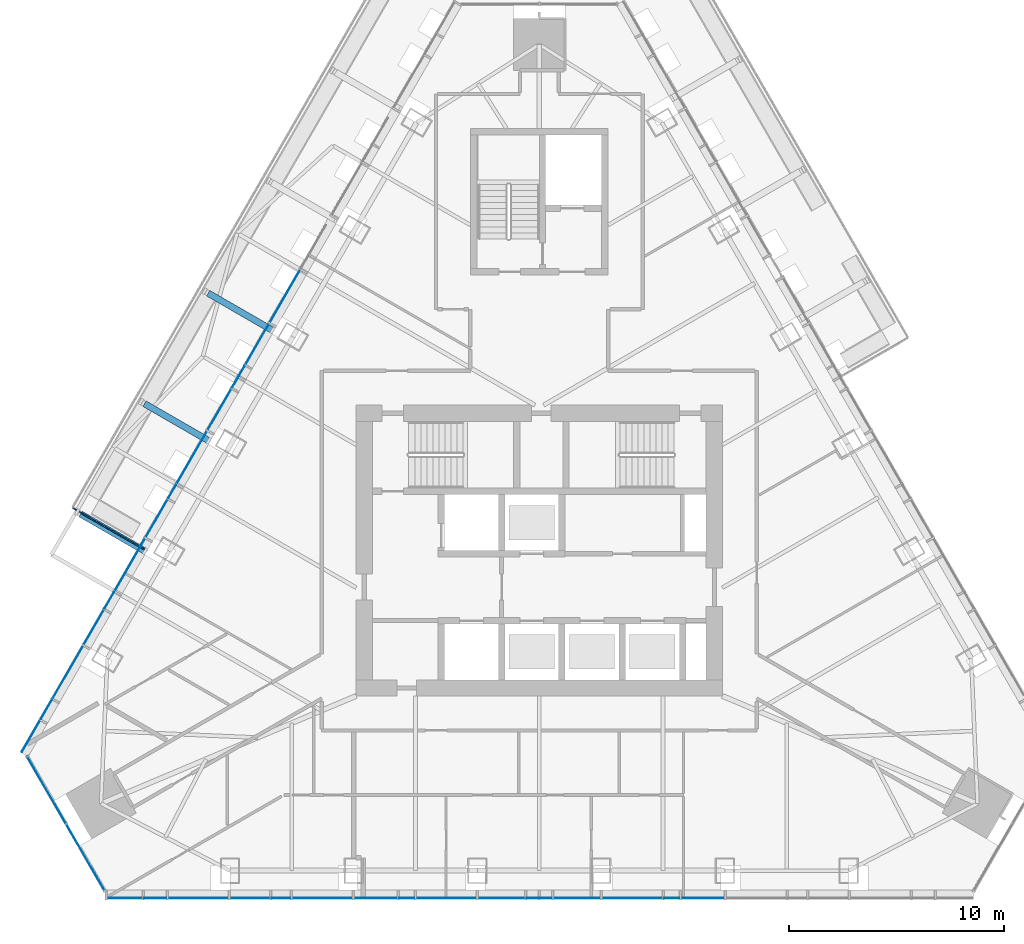
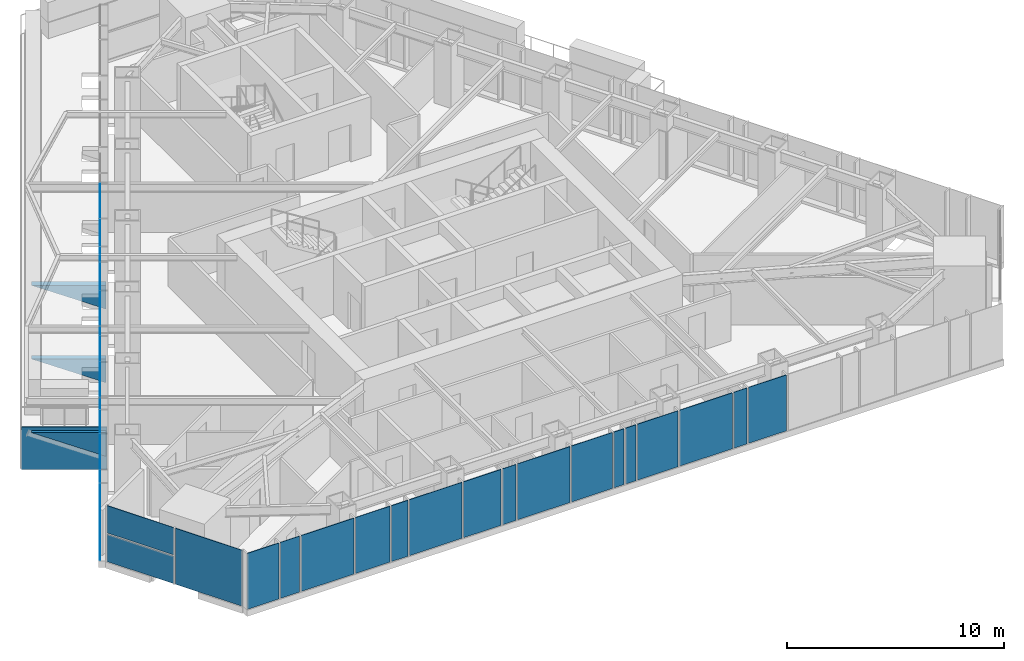
# One storey, part 6 of 16: 37 plates, 3 elements without a shape of their own.
"""IFC4 building model written with IfcOpenShell, lengths in metres."""

from ifc_helpers import new_model, si_unit, direction, frame, origin, place, context, subcontext, project, spatial, polyline, outline, extrude, material, layer, layer_set, type_object, element, aggregate, save


model = new_model("IFC4")

# Units and contexts
model_context = context("Model", 3, precision=1e-05, world=origin(), true_north=direction((0.0, 1.0)))
body_context = subcontext(model_context, "Body", "Model", "MODEL_VIEW")
ifc_project = project(units=[si_unit("LENGTHUNIT", "METRE"), si_unit("AREAUNIT", "SQUARE_METRE"), si_unit("VOLUMEUNIT", "CUBIC_METRE"), si_unit("PLANEANGLEUNIT", "RADIAN"), si_unit("MASSUNIT", "GRAM", prefix="KILO")], contexts=[model_context])

# Site, building, storey
site_placement = place(None, origin())
site = spatial("IfcSite", under=ifc_project, at=site_placement, CompositionType="ELEMENT")
building_placement = place(site_placement, origin())
building = spatial("IfcBuilding", under=site, at=building_placement, Name="Firuza Gate Tower and Library", CompositionType="ELEMENT")
storey_placement = place(building_placement, frame((0.0, 0.0, 319.60009765625)))
storey = spatial("IfcBuildingStorey", under=building, at=storey_placement, Name="L78", CompositionType="ELEMENT", Elevation=319.60009765625)

# Curtain wall, plate
ifc_material_1 = material(Name="Aluminium 6063-T6", Category="aluminium")
ifc_layer_1 = layer(ifc_material_1, 0.14990234375)
ifc_layer_set_1 = layer_set([ifc_layer_1], Name="Corner curtain wall, chamfers")
curtain_wall_type_1 = type_object("IfcCurtainWallType", Name="Corner curtain wall, chamfers", PredefinedType="NOTDEFINED", material=ifc_layer_set_1)
placement = place(storey_placement, origin())
curtain_wall_1 = element("IfcCurtainWall", 1, at=placement, inside=storey, type_object=curtain_wall_type_1, Name="CW4 L78 SW corner", PredefinedType="NOTDEFINED")
ifc_material_2 = material(Name="Fritted glass", Category="glass")
ifc_layer_2 = layer(ifc_material_2, 0.030029296875)
ifc_layer_set_2 = layer_set([ifc_layer_2], Name="Fritted glass unit, corners")
plate_type_1 = type_object("IfcPlateType", Name="Fritted glass unit, corners", PredefinedType="CURTAIN_PANEL", material=ifc_layer_set_2)
plate_1_placement = place(storey_placement, frame((51.21630859375, 65.42919921875, 0.14990234375), z_axis=(-0.866016723041, -0.500015035186, 0.0), x_axis=(0.500015035186, -0.866016723041, 0.0)))
plate_1 = element("IfcPlate", 2, at=plate_1_placement, type_object=plate_type_1, Name="Glass unit", PredefinedType="CURTAIN_PANEL", context=body_context, shape_type="SweptSolid", body=[
    extrude(outline(polyline([(0.0, 0.0), (3.5633694106530625, 0.0), (3.5633694106530625, 1.5349121093749998), (0.0, 1.5349121093749998), (0.0, 0.0)])), origin(), (0.0, 0.0, -1.0), 0.030029296875),
])

# Curtain wall, plates
ifc_material_3 = material(Name="Aluminium 6063-T6", Category="aluminium")
ifc_layer_3 = layer(ifc_material_3, 0.14990234375)
ifc_layer_set_3 = layer_set([ifc_layer_3], Name="Unitised curtain wall, residences")
curtain_wall_type_2 = type_object("IfcCurtainWallType", Name="Unitised curtain wall, residences", PredefinedType="NOTDEFINED", material=ifc_layer_set_3)
curtain_wall_2 = element("IfcCurtainWall", 3, at=placement, inside=storey, type_object=curtain_wall_type_2, Name="CW3 L78 S face", PredefinedType="NOTDEFINED")
ifc_material_4 = material(Name="Fritted glass", Category="glass")
ifc_layer_4 = layer(ifc_material_4, 0.030029296875)
ifc_layer_set_4 = layer_set([ifc_layer_4], Name="Fritted glass unit, residences")
plate_type_2 = type_object("IfcPlateType", Name="Fritted glass unit, residences", PredefinedType="CURTAIN_PANEL", material=ifc_layer_set_4)
plate_2_placement = place(storey_placement, frame((56.655517578125, 58.85595703125, 0.14990234375), z_axis=(0.0, -1.0, 0.0), x_axis=(1.0, 0.0, 0.0)))
plate_2 = element("IfcPlate", 4, at=plate_2_placement, type_object=plate_type_2, Name="Glass unit", PredefinedType="CURTAIN_PANEL", context=body_context, shape_type="SweptSolid", body=[
    extrude(outline(polyline([(0.0, 0.0), (1.035400390625, 0.0), (1.035400390625, 3.14990234375), (0.0, 3.14990234375), (0.0, 0.0)])), origin(), (0.0, 0.0, -1.0), 0.030029296875),
])
plate_3_placement = place(storey_placement, frame((62.575439453125, 58.85595703125, 0.14990234375), z_axis=(0.0, -1.0, 0.0), x_axis=(1.0, 0.0, 0.0)))
plate_3 = element("IfcPlate", 5, at=plate_3_placement, type_object=plate_type_2, Name="Glass unit", PredefinedType="CURTAIN_PANEL", context=body_context, shape_type="SweptSolid", body=[
    extrude(outline(polyline([(0.0, 0.0), (0.871826171875, 0.0), (0.871826171875, 3.14990234375), (0.0, 3.14990234375), (0.0, 0.0)])), origin(), (0.0, 0.0, -1.0), 0.030029296875),
])
plate_4_placement = place(storey_placement, frame((68.49560546875, 58.85595703125, 0.14990234375), z_axis=(0.0, -1.0, 0.0), x_axis=(1.0, 0.0, 0.0)))
plate_4 = element("IfcPlate", 6, at=plate_4_placement, type_object=plate_type_2, Name="Glass unit", PredefinedType="CURTAIN_PANEL", context=body_context, shape_type="SweptSolid", body=[
    extrude(outline(polyline([(0.0, 0.0), (0.7080078125, 0.0), (0.7080078125, 3.14990234375), (0.0, 3.14990234375), (0.0, 0.0)])), origin(), (0.0, 0.0, -1.0), 0.030029296875),
])
plate_5_placement = place(storey_placement, frame((74.41552734375, 58.85595703125, 0.14990234375), z_axis=(0.0, -1.0, 0.0), x_axis=(1.0, 0.0, 0.0)))
plate_5 = element("IfcPlate", 7, at=plate_5_placement, type_object=plate_type_2, Name="Glass unit", PredefinedType="CURTAIN_PANEL", context=body_context, shape_type="SweptSolid", body=[
    extrude(outline(polyline([(0.0, 0.0), (0.54443359375, 0.0), (0.54443359375, 3.14990234375), (0.0, 3.14990234375), (0.0, 0.0)])), origin(), (0.0, 0.0, -1.0), 0.030029296875),
])
plate_6_placement = place(storey_placement, frame((75.0400390625, 58.85595703125, 0.14990234375), z_axis=(0.0, -1.0, 0.0), x_axis=(1.0, 0.0, 0.0)))
plate_6 = element("IfcPlate", 8, at=plate_6_placement, type_object=plate_type_2, Name="Glass unit", PredefinedType="CURTAIN_PANEL", context=body_context, shape_type="SweptSolid", body=[
    extrude(outline(polyline([(0.0, 0.0), (0.54443359375, 0.0), (0.54443359375, 3.14990234375), (0.0, 3.14990234375), (0.0, 0.0)])), origin(), (0.0, 0.0, -1.0), 0.030029296875),
])
plate_7_placement = place(storey_placement, frame((80.79638671875, 58.85595703125, 0.14990234375), z_axis=(0.0, -1.0, 0.0), x_axis=(1.0, 0.0, 0.0)))
plate_7 = element("IfcPlate", 9, at=plate_7_placement, type_object=plate_type_2, Name="Glass unit", PredefinedType="CURTAIN_PANEL", context=body_context, shape_type="SweptSolid", body=[
    extrude(outline(polyline([(0.0, 0.0), (0.7080078125, 0.0), (0.7080078125, 3.14990234375), (0.0, 3.14990234375), (0.0, 0.0)])), origin(), (0.0, 0.0, -1.0), 0.030029296875),
])

curtain_wall_3 = element("IfcCurtainWall", 10, at=placement, inside=storey, type_object=curtain_wall_type_2, Name="CW3 L78 W face", PredefinedType="NOTDEFINED")
plate_8_placement = place(storey_placement, frame((61.31103515625, 83.578125, 0.14990234375), z_axis=(-0.865998869808, 0.500045955379, 0.0), x_axis=(-0.500045955379, -0.865998869808, 0.0)))
plate_8 = element("IfcPlate", 11, at=plate_8_placement, type_object=plate_type_2, Name="Glass unit", PredefinedType="CURTAIN_PANEL", context=body_context, shape_type="SweptSolid", body=[
    extrude(outline(polyline([(0.0, 0.0), (0.5443835590447377, 0.0), (0.5443835590447377, 3.14990234375), (0.0, 3.14990234375), (0.0, 0.0)])), origin(), (0.0, 0.0, -1.0), 0.030029296875),
])
plate_9_placement = place(storey_placement, frame((60.9990234375, 83.037353515625, 0.14990234375), z_axis=(-0.865998869808, 0.500045955379, 0.0), x_axis=(-0.500045955379, -0.865998869808, 0.0)))
plate_9 = element("IfcPlate", 12, at=plate_9_placement, type_object=plate_type_2, Name="Glass unit", PredefinedType="CURTAIN_PANEL", context=body_context, shape_type="SweptSolid", body=[
    extrude(outline(polyline([(0.0, 0.0), (0.5443835590447377, 0.0), (0.5443835590447377, 3.14990234375), (0.0, 3.14990234375), (0.0, 0.0)])), origin(), (0.0, 0.0, -1.0), 0.030029296875),
])
plate_10_placement = place(storey_placement, frame((58.12060546875, 78.05224609375, 0.14990234375), z_axis=(-0.866070766281, 0.499921421619, 0.0), x_axis=(-0.499921421619, -0.866070766281, 0.0)))
plate_10 = element("IfcPlate", 13, at=plate_10_placement, type_object=plate_type_2, Name="Glass unit", PredefinedType="CURTAIN_PANEL", context=body_context, shape_type="SweptSolid", body=[
    extrude(outline(polyline([(0.0, 0.0), (0.7081190982044061, 0.0), (0.7081190982044061, 3.14990234375), (0.0, 3.14990234375), (0.0, 0.0)])), origin(), (0.0, 0.0, -1.0), 0.030029296875),
])
plate_11_placement = place(storey_placement, frame((55.242431640625, 73.06689453125, 0.14990234375), z_axis=(-0.86604566135, 0.499964911226, 0.0), x_axis=(-0.499964911226, -0.86604566135, 0.0)))
plate_11 = element("IfcPlate", 14, at=plate_11_placement, type_object=plate_type_2, Name="Glass unit", PredefinedType="CURTAIN_PANEL", context=body_context, shape_type="SweptSolid", body=[
    extrude(outline(polyline([(0.0, 0.0), (0.871643201033186, 0.0), (0.871643201033186, 3.14990234375), (0.0, 3.14990234375), (0.0, 0.0)])), origin(), (0.0, 0.0, -1.0), 0.030029296875),
])
plate_12_placement = place(storey_placement, frame((52.3642578125, 68.081787109375, 0.14990234375), z_axis=(-0.866028486751, 0.499994660107, 0.0), x_axis=(-0.499994660107, -0.866028486751, 0.0)))
plate_12 = element("IfcPlate", 15, at=plate_12_placement, type_object=plate_type_2, Name="Glass unit", PredefinedType="CURTAIN_PANEL", context=body_context, shape_type="SweptSolid", body=[
    extrude(outline(polyline([(0.0, 0.0), (1.0351673053654933, 0.0), (1.0351673053654933, 3.14990234375), (0.0, 3.14990234375), (0.0, 0.0)])), origin(), (0.0, 0.0, -1.0), 0.030029296875),
])

# Plate
ifc_material_5 = material(Name="Glazed ceramic tile")
ifc_layer_5 = layer(ifc_material_5, 0.030029296875)
ifc_layer_set_5 = layer_set([ifc_layer_5], Name="Opaque ceramic panel, corners")
plate_type_3 = type_object("IfcPlateType", Name="Opaque ceramic panel, corners", PredefinedType="CURTAIN_PANEL", material=ifc_layer_set_5)
plate_13_placement = place(storey_placement, frame((51.21630859375, 65.42919921875, 1.764892578125), z_axis=(-0.866016723041, -0.500015035186, 0.0), x_axis=(0.500015035186, -0.866016723041, 0.0)))
plate_13 = element("IfcPlate", 16, at=plate_13_placement, type_object=plate_type_3, Name="Opaque ceramic panel", PredefinedType="CURTAIN_PANEL", context=body_context, shape_type="SweptSolid", body=[
    extrude(outline(polyline([(0.0, 0.0), (3.5633694106530625, 0.0), (3.5633694106530625, 1.5349121093749998), (0.0, 1.5349121093749998), (0.0, 0.0)])), origin(), (0.0, 0.0, -1.0), 0.030029296875),
])

plate_14_placement = place(storey_placement, frame((53.0380859375, 62.274169921875, 0.14990234375), z_axis=(-0.866016723041, -0.500015035186, 0.0), x_axis=(0.500015035186, -0.866016723041, 0.0)))
plate_14 = element("IfcPlate", 17, at=plate_14_placement, type_object=plate_type_3, Name="Opaque ceramic panel", PredefinedType="CURTAIN_PANEL", context=body_context, shape_type="SweptSolid", body=[
    extrude(outline(polyline([(0.0, 0.0), (3.5633694106530625, 0.0), (3.5633694106530625, 3.14990234375), (0.0, 3.14990234375), (0.0, 0.0)])), origin(), (0.0, 0.0, -1.0), 0.030029296875),
])

aggregate(curtain_wall_1, [plate_1, plate_13, plate_14])

ifc_material_6 = material(Name="Glazed ceramic tile")
ifc_layer_6 = layer(ifc_material_6, 0.030029296875)
ifc_layer_set_6 = layer_set([ifc_layer_6], Name="Opaque ceramic panel, residences")
plate_type_4 = type_object("IfcPlateType", Name="Opaque ceramic panel, residences", PredefinedType="CURTAIN_PANEL", material=ifc_layer_set_6)
plate_15_placement = place(storey_placement, frame((54.892578125, 58.85595703125, 0.14990234375), z_axis=(0.0, -1.0, 0.0), x_axis=(1.0, 0.0, 0.0)))
plate_15 = element("IfcPlate", 18, at=plate_15_placement, type_object=plate_type_4, Name="Opaque ceramic panel", PredefinedType="CURTAIN_PANEL", context=body_context, shape_type="SweptSolid", body=[
    extrude(outline(polyline([(0.0, 0.0), (1.682861328125, 0.0), (1.682861328125, 3.14990234375), (0.0, 3.14990234375), (0.0, 0.0)])), origin(), (0.0, 0.0, -1.0), 0.030029296875),
])

plate_16_placement = place(storey_placement, frame((57.77099609375, 58.85595703125, 0.14990234375), z_axis=(0.0, -1.0, 0.0), x_axis=(1.0, 0.0, 0.0)))
plate_16 = element("IfcPlate", 19, at=plate_16_placement, type_object=plate_type_4, Name="Opaque ceramic panel", PredefinedType="CURTAIN_PANEL", context=body_context, shape_type="SweptSolid", body=[
    extrude(outline(polyline([(0.0, 0.0), (2.798095703125, 0.0), (2.798095703125, 3.14990234375), (0.0, 3.14990234375), (0.0, 0.0)])), origin(), (0.0, 0.0, -1.0), 0.030029296875),
])

plate_17_placement = place(storey_placement, frame((60.649169921875, 58.85595703125, 0.14990234375), z_axis=(0.0, -1.0, 0.0), x_axis=(1.0, 0.0, 0.0)))
plate_17 = element("IfcPlate", 20, at=plate_17_placement, type_object=plate_type_4, Name="Opaque ceramic panel", PredefinedType="CURTAIN_PANEL", context=body_context, shape_type="SweptSolid", body=[
    extrude(outline(polyline([(0.0, 0.0), (1.846435546875, 0.0), (1.846435546875, 3.14990234375), (0.0, 3.14990234375), (0.0, 0.0)])), origin(), (0.0, 0.0, -1.0), 0.030029296875),
])

plate_18_placement = place(storey_placement, frame((63.52734375, 58.85595703125, 0.14990234375), z_axis=(0.0, -1.0, 0.0), x_axis=(1.0, 0.0, 0.0)))
plate_18 = element("IfcPlate", 21, at=plate_18_placement, type_object=plate_type_4, Name="Opaque ceramic panel", PredefinedType="CURTAIN_PANEL", context=body_context, shape_type="SweptSolid", body=[
    extrude(outline(polyline([(0.0, 0.0), (2.798095703125, 0.0), (2.798095703125, 3.14990234375), (0.0, 3.14990234375), (0.0, 0.0)])), origin(), (0.0, 0.0, -1.0), 0.030029296875),
])

plate_19_placement = place(storey_placement, frame((66.405517578125, 58.85595703125, 0.14990234375), z_axis=(0.0, -1.0, 0.0), x_axis=(1.0, 0.0, 0.0)))
plate_19 = element("IfcPlate", 22, at=plate_19_placement, type_object=plate_type_4, Name="Opaque ceramic panel", PredefinedType="CURTAIN_PANEL", context=body_context, shape_type="SweptSolid", body=[
    extrude(outline(polyline([(0.0, 0.0), (2.010009765625, 0.0), (2.010009765625, 3.14990234375), (0.0, 3.14990234375), (0.0, 0.0)])), origin(), (0.0, 0.0, -1.0), 0.030029296875),
])

plate_20_placement = place(storey_placement, frame((69.28369140625, 58.85595703125, 0.14990234375), z_axis=(0.0, -1.0, 0.0), x_axis=(1.0, 0.0, 0.0)))
plate_20 = element("IfcPlate", 23, at=plate_20_placement, type_object=plate_type_4, Name="Opaque ceramic panel", PredefinedType="CURTAIN_PANEL", context=body_context, shape_type="SweptSolid", body=[
    extrude(outline(polyline([(0.0, 0.0), (2.798095703125, 0.0), (2.798095703125, 3.14990234375), (0.0, 3.14990234375), (0.0, 0.0)])), origin(), (0.0, 0.0, -1.0), 0.030029296875),
])

plate_21_placement = place(storey_placement, frame((72.161865234375, 58.85595703125, 0.14990234375), z_axis=(0.0, -1.0, 0.0), x_axis=(1.0, 0.0, 0.0)))
plate_21 = element("IfcPlate", 24, at=plate_21_placement, type_object=plate_type_4, Name="Opaque ceramic panel", PredefinedType="CURTAIN_PANEL", context=body_context, shape_type="SweptSolid", body=[
    extrude(outline(polyline([(0.0, 0.0), (2.173583984375, 0.0), (2.173583984375, 3.14990234375), (0.0, 3.14990234375), (0.0, 0.0)])), origin(), (0.0, 0.0, -1.0), 0.030029296875),
])

plate_22_placement = place(storey_placement, frame((75.66455078125, 58.85595703125, 0.14990234375), z_axis=(0.0, -1.0, 0.0), x_axis=(1.0, 0.0, 0.0)))
plate_22 = element("IfcPlate", 25, at=plate_22_placement, type_object=plate_type_4, Name="Opaque ceramic panel", PredefinedType="CURTAIN_PANEL", context=body_context, shape_type="SweptSolid", body=[
    extrude(outline(polyline([(0.0, 0.0), (2.173583984375, 0.0), (2.173583984375, 3.14990234375), (0.0, 3.14990234375), (0.0, 0.0)])), origin(), (0.0, 0.0, -1.0), 0.030029296875),
])

plate_23_placement = place(storey_placement, frame((77.918212890625, 58.85595703125, 0.14990234375), z_axis=(0.0, -1.0, 0.0), x_axis=(1.0, 0.0, 0.0)))
plate_23 = element("IfcPlate", 26, at=plate_23_placement, type_object=plate_type_4, Name="Opaque ceramic panel", PredefinedType="CURTAIN_PANEL", context=body_context, shape_type="SweptSolid", body=[
    extrude(outline(polyline([(0.0, 0.0), (2.798095703125, 0.0), (2.798095703125, 3.14990234375), (0.0, 3.14990234375), (0.0, 0.0)])), origin(), (0.0, 0.0, -1.0), 0.030029296875),
])

plate_24_placement = place(storey_placement, frame((81.58447265625, 58.85595703125, 0.14990234375), z_axis=(0.0, -1.0, 0.0), x_axis=(1.0, 0.0, 0.0)))
plate_24 = element("IfcPlate", 27, at=plate_24_placement, type_object=plate_type_4, Name="Opaque ceramic panel", PredefinedType="CURTAIN_PANEL", context=body_context, shape_type="SweptSolid", body=[
    extrude(outline(polyline([(0.0, 0.0), (2.010009765625, 0.0), (2.010009765625, 3.14990234375), (0.0, 3.14990234375), (0.0, 0.0)])), origin(), (0.0, 0.0, -1.0), 0.030029296875),
])

aggregate(curtain_wall_2, [plate_15, plate_2, plate_16, plate_17, plate_3, plate_18, plate_19, plate_4, plate_20, plate_21, plate_5, plate_6, plate_22, plate_23, plate_7, plate_24])

plate_25_placement = place(storey_placement, frame((63.877197265625, 88.0224609375, 0.14990234375), z_axis=(-0.866017045845, 0.500014476097, 0.0), x_axis=(-0.500014476097, -0.866017045845, 0.0)))
plate_25 = element("IfcPlate", 28, at=plate_25_placement, type_object=plate_type_4, Name="Opaque ceramic panel", PredefinedType="CURTAIN_PANEL", context=body_context, shape_type="SweptSolid", body=[
    extrude(outline(polyline([(0.0, 0.0), (2.7982588280189464, 0.0), (2.7982588280189464, 3.14990234375), (0.0, 3.14990234375), (0.0, 0.0)])), origin(), (0.0, 0.0, -1.0), 0.030029296875),
])

plate_26_placement = place(storey_placement, frame((62.43798828125, 85.530029296875, 0.14990234375), z_axis=(-0.866022871314, 0.500004386343, 0.0), x_axis=(-0.500004386343, -0.866022871314, 0.0)))
plate_26 = element("IfcPlate", 29, at=plate_26_placement, type_object=plate_type_4, Name="Opaque ceramic panel", PredefinedType="CURTAIN_PANEL", context=body_context, shape_type="SweptSolid", body=[
    extrude(outline(polyline([(0.0, 0.0), (2.1738090548574256, 0.0), (2.1738090548574256, 3.14990234375), (0.0, 3.14990234375), (0.0, 0.0)])), origin(), (0.0, 0.0, -1.0), 0.030029296875),
])

plate_27_placement = place(storey_placement, frame((60.686767578125, 82.49658203125, 0.14990234375), z_axis=(-0.866022871314, 0.500004386343, 0.0), x_axis=(-0.500004386343, -0.866022871314, 0.0)))
plate_27 = element("IfcPlate", 30, at=plate_27_placement, type_object=plate_type_4, Name="Opaque ceramic panel", PredefinedType="CURTAIN_PANEL", context=body_context, shape_type="SweptSolid", body=[
    extrude(outline(polyline([(0.0, 0.0), (2.1738090548574256, 0.0), (2.1738090548574256, 3.14990234375), (0.0, 3.14990234375), (0.0, 0.0)])), origin(), (0.0, 0.0, -1.0), 0.030029296875),
])

plate_28_placement = place(storey_placement, frame((59.559814453125, 80.544677734375, 0.14990234375), z_axis=(-0.865995230276, 0.500052258409, 0.0), x_axis=(-0.500052258409, -0.865995230276, 0.0)))
plate_28 = element("IfcPlate", 31, at=plate_28_placement, type_object=plate_type_4, Name="Opaque ceramic panel", PredefinedType="CURTAIN_PANEL", context=body_context, shape_type="SweptSolid", body=[
    extrude(outline(polyline([(0.0, 0.0), (2.798047400739046, 0.0), (2.798047400739046, 3.14990234375), (0.0, 3.14990234375), (0.0, 0.0)])), origin(), (0.0, 0.0, -1.0), 0.030029296875),
])

plate_29_placement = place(storey_placement, frame((57.726806640625, 77.36962890625, 0.14990234375), z_axis=(-0.865999496279, 0.500044870432, 0.0), x_axis=(-0.500044870432, -0.865999496279, 0.0)))
plate_29 = element("IfcPlate", 32, at=plate_29_placement, type_object=plate_type_4, Name="Opaque ceramic panel", PredefinedType="CURTAIN_PANEL", context=body_context, shape_type="SweptSolid", body=[
    extrude(outline(polyline([(0.0, 0.0), (2.010073520516203, 0.0), (2.010073520516203, 3.14990234375), (0.0, 3.14990234375), (0.0, 0.0)])), origin(), (0.0, 0.0, -1.0), 0.030029296875),
])

plate_30_placement = place(storey_placement, frame((56.681640625, 75.5595703125, 0.14990234375), z_axis=(-0.866017045845, 0.500014476097, 0.0), x_axis=(-0.500014476097, -0.866017045845, 0.0)))
plate_30 = element("IfcPlate", 33, at=plate_30_placement, type_object=plate_type_4, Name="Opaque ceramic panel", PredefinedType="CURTAIN_PANEL", context=body_context, shape_type="SweptSolid", body=[
    extrude(outline(polyline([(0.0, 0.0), (2.7982588280189464, 0.0), (2.7982588280189464, 3.14990234375), (0.0, 3.14990234375), (0.0, 0.0)])), origin(), (0.0, 0.0, -1.0), 0.030029296875),
])

plate_31_placement = place(storey_placement, frame((54.7666015625, 72.242919921875, 0.14990234375), z_axis=(-0.866062288296, 0.499936108709, 0.0), x_axis=(-0.499936108709, -0.866062288296, 0.0)))
plate_31 = element("IfcPlate", 34, at=plate_31_placement, type_object=plate_type_4, Name="Opaque ceramic panel", PredefinedType="CURTAIN_PANEL", context=body_context, shape_type="SweptSolid", body=[
    extrude(outline(polyline([(0.0, 0.0), (1.8464273475022068, 0.0), (1.8464273475022068, 3.149902343750001), (0.0, 3.149902343750001), (0.0, 0.0)])), origin(), (0.0, 0.0, -1.0), 0.030029296875),
])

plate_32_placement = place(storey_placement, frame((53.803466796875, 70.574462890625, 0.14990234375), z_axis=(-0.866017045845, 0.500014476097, 0.0), x_axis=(-0.500014476097, -0.866017045845, 0.0)))
plate_32 = element("IfcPlate", 35, at=plate_32_placement, type_object=plate_type_4, Name="Opaque ceramic panel", PredefinedType="CURTAIN_PANEL", context=body_context, shape_type="SweptSolid", body=[
    extrude(outline(polyline([(0.0, 0.0), (2.7982588280189464, 0.0), (2.7982588280189464, 3.14990234375), (0.0, 3.14990234375), (0.0, 0.0)])), origin(), (0.0, 0.0, -1.0), 0.030029296875),
])

plate_33_placement = place(storey_placement, frame((51.806640625, 67.115966796875, 0.14990234375), z_axis=(-0.866074466908, 0.499915010547, 0.0), x_axis=(-0.499915010547, -0.866074466908, 0.0)))
plate_33 = element("IfcPlate", 36, at=plate_33_placement, type_object=plate_type_4, Name="Opaque ceramic panel", PredefinedType="CURTAIN_PANEL", context=body_context, shape_type="SweptSolid", body=[
    extrude(outline(polyline([(0.0, 0.0), (1.6829032455530002, 0.0), (1.6829032455530002, 3.14990234375), (0.0, 3.14990234375), (0.0, 0.0)])), origin(), (0.0, 0.0, -1.0), 0.030029296875),
])

aggregate(curtain_wall_3, [plate_25, plate_26, plate_8, plate_9, plate_27, plate_28, plate_10, plate_29, plate_30, plate_11, plate_31, plate_32, plate_12, plate_33])

# Plates
ifc_material_7 = material(Name="Steel S355", Category="steel")
ifc_layer_7 = layer(ifc_material_7, 0.300048828125)
ifc_layer_set_7 = layer_set([ifc_layer_7], Name="Tray bracket web 300 Steel S355")
plate_type_5 = type_object("IfcPlateType", Name="Tray bracket web 300 Steel S355", PredefinedType="SHEET", material=ifc_layer_set_7)
for number, where, z_axis, x_axis, name in (
    (37, (62.52392578125, 85.10107421875, -0.2001953125), (-0.500028509433, -0.86600894323, 0.0), (-0.86600894323, 0.500028509433, 0.0), "Tray bracket web L78 col:L77:W3"),
    (38, (59.56396484375, 79.97412109375, -0.2001953125), (-0.500028509433, -0.86600894323, 0.0), (-0.86600894323, 0.500028509433, 0.0), "Tray bracket web L78 col:L77:W4"),
):
    element("IfcPlate", number, at=place(storey_placement, frame(where, z_axis=z_axis, x_axis=x_axis)), inside=storey, type_object=plate_type_5, Name=name, PredefinedType="SHEET", context=body_context, shape_type="SweptSolid", body=[
        extrude(outline(polyline([(0.0, 0.0), (3.4294919542601163, 0.0), (0.0, 1.333984375), (0.0, 0.0)])), origin(), (0.0, 0.0, -1.0), 0.300048828125),
    ])
plate_34_placement = place(storey_placement, frame((56.60400390625, 74.846923828125, -0.2001953125), z_axis=(-0.500081895979, -0.865978115955, 0.0), x_axis=(-0.865978115955, 0.500081895979, 0.0)))
element("IfcPlate", 39, at=plate_34_placement, inside=storey, type_object=plate_type_5, Name="Tray bracket web L78 col:L77:W5", PredefinedType="SHEET", context=body_context, shape_type="SweptSolid", body=[
    extrude(outline(polyline([(0.0, 0.0), (3.429614038049955, 0.0), (0.0, 1.333984375), (0.0, 0.0)])), origin(), (0.0, 0.0, -1.0), 0.300048828125),
])
ifc_material_8 = material(Name="Aluminium 6063-T6", Category="aluminium")
ifc_layer_8 = layer(ifc_material_8, 0.050048828125)
ifc_layer_set_8 = layer_set([ifc_layer_8], Name="Tray fascia panel 50")
plate_type_6 = type_object("IfcPlateType", Name="Tray fascia panel 50", PredefinedType="SHEET", material=ifc_layer_set_8)
plate_35_placement = place(storey_placement, frame((53.333984375, 76.94189453125, -2.400146484375), z_axis=(-0.49999779889, -0.866026674592, 0.0), x_axis=(0.866026674592, -0.49999779889, 0.0)))
element("IfcPlate", 40, at=plate_35_placement, inside=storey, type_object=plate_type_6, Name="Tray fascia L78 4", PredefinedType="SHEET", context=body_context, shape_type="SweptSolid", body=[
    extrude(outline(polyline([(0.0, 0.0), (3.9399587508162695, 0.0), (3.9399587508162695, 2.400146484375), (0.0, 2.400146484375), (0.0, 0.0)])), origin(), (0.0, 0.0, -1.0), 0.050048828125),
])

save(model, "model.ifc")
